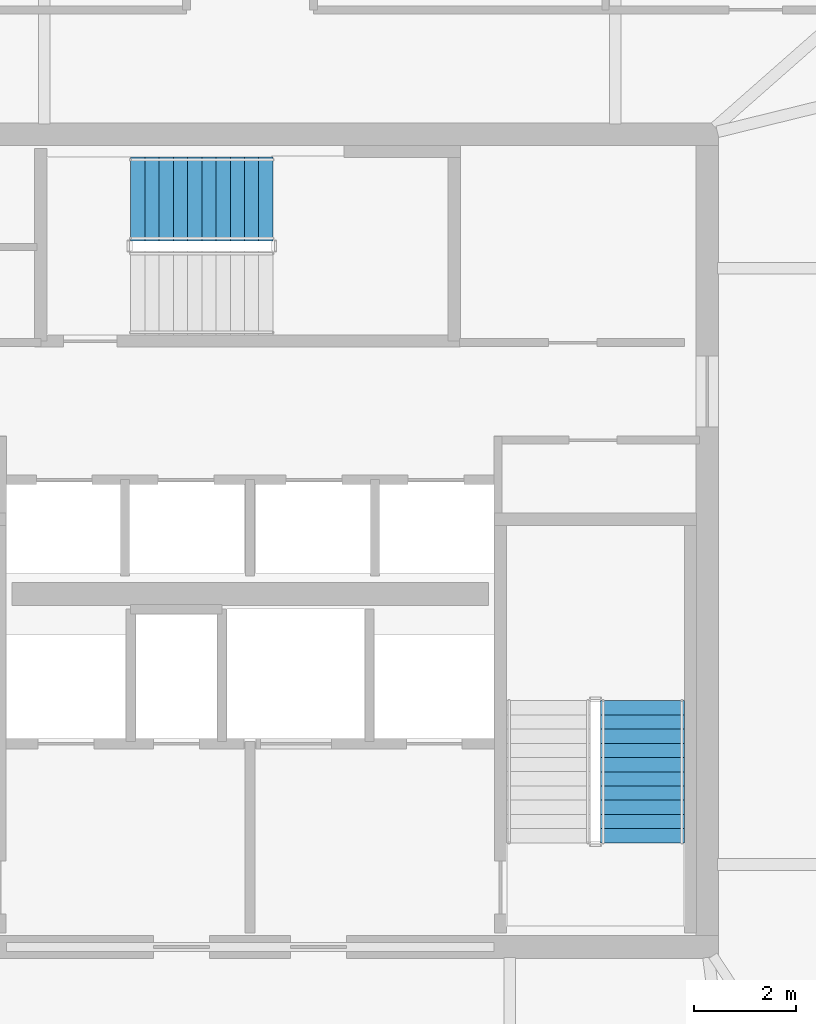
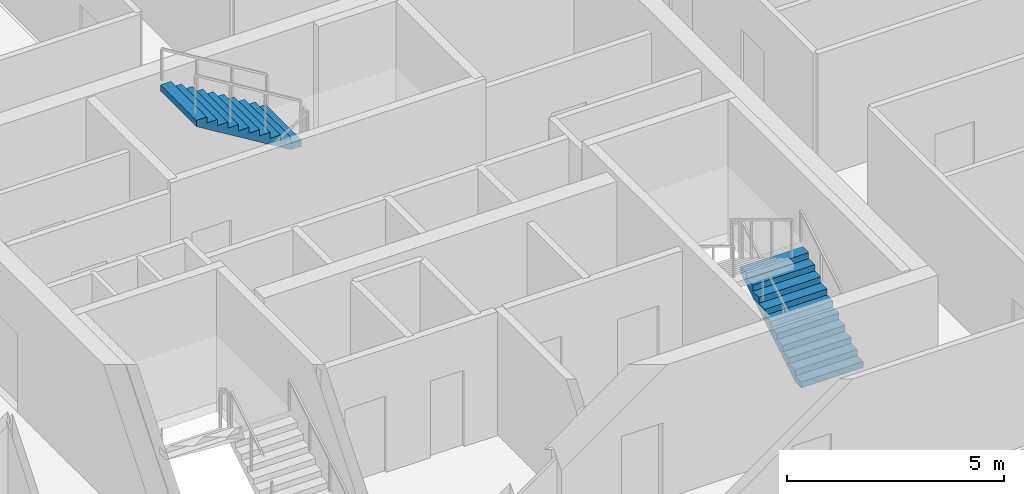
# One storey, part 23 of 28: 2 stair flights, 2 elements without a shape of their own.
"""IFC4 building model written with IfcOpenShell, lengths in metres."""

from ifc_helpers import new_model, si_unit, direction, frame, origin, place, context, subcontext, project, spatial, polyline, outline, extrude, material, type_object, element, aggregate, save


model = new_model("IFC4")

# Units and contexts
model_context = context("Model", 3, precision=1e-05, world=origin(), true_north=direction((0.0, 1.0)))
body_context = subcontext(model_context, "Body", "Model", "MODEL_VIEW")
ifc_project = project(units=[si_unit("LENGTHUNIT", "METRE"), si_unit("AREAUNIT", "SQUARE_METRE"), si_unit("VOLUMEUNIT", "CUBIC_METRE"), si_unit("PLANEANGLEUNIT", "RADIAN"), si_unit("MASSUNIT", "GRAM", prefix="KILO")], contexts=[model_context])

# Site, building, storey
site_placement = place(None, origin())
site = spatial("IfcSite", under=ifc_project, at=site_placement, CompositionType="ELEMENT")
building_placement = place(site_placement, origin())
building = spatial("IfcBuilding", under=site, at=building_placement, Name="Haldenkirk Collegiate Tower", CompositionType="ELEMENT")
storey_placement = place(building_placement, frame((0.0, 0.0, 282.449951171875)))
storey = spatial("IfcBuildingStorey", under=building, at=storey_placement, Name="L71", CompositionType="ELEMENT", Elevation=282.449951171875)

# Stair, stair flight
ifc_material = material(Name="Concrete f'c 40 MPa", Category="concrete")
stair_type = type_object("IfcStairType", Name="STR-DOGLEG-1650", PredefinedType="HALF_TURN_STAIR", material=ifc_material)
stair_1_placement = place(storey_placement, origin())
stair_1 = element("IfcStair", 1, at=stair_1_placement, inside=storey, type_object=stair_type, Name="L71 Core Exit Stair ST-2", PredefinedType="HALF_TURN_STAIR")
stair_flight_type = type_object("IfcStairFlightType", Name="STF-FLIGHT-1650", PredefinedType="STRAIGHT", material=ifc_material)
stair_flight_1_placement = place(storey_placement, frame((43.72509765625, 20.050048828125, 0.0), z_axis=(0.0, 0.0, 1.0), x_axis=(0.0, 1.0, 0.0)))
stair_flight_1 = element("IfcStairFlight", 2, at=stair_flight_1_placement, type_object=stair_flight_type, Name="ST-2 flight 1", NumberOfRisers=11, NumberOfTreads=10, PredefinedType="STRAIGHT", RiserHeight=0.170454545, TreadLength=0.28, context=body_context, shape_type="SweptSolid", body=[
    extrude(outline(polyline([(0.0, 0.0), (0.0, 0.17041015625), (0.280029296875, 0.17041015625), (0.280029296875, 0.3408203125), (0.56005859375, 0.3408203125), (0.56005859375, 0.511474609375), (0.840087890625, 0.511474609375), (0.840087890625, 0.681884765625), (1.1201171875, 0.681884765625), (1.1201171875, 0.852294921875), (1.39990234375, 0.852294921875), (1.39990234375, 1.022705078125), (1.679931640625, 1.022705078125), (1.679931640625, 1.193115234375), (1.9599609375, 1.193115234375), (1.9599609375, 1.363525390625), (2.239990234375, 1.363525390625), (2.239990234375, 1.5341796875), (2.52001953125, 1.5341796875), (2.52001953125, 1.70458984375), (2.800048828125, 1.70458984375), (2.800048828125, 1.875), (2.800048828125, 1.529052734375), (0.288330078125, 0.0), (0.0, 0.0)])), frame((0.0, 0.824951171875, 0.0), z_axis=(0.0, -1.0, 0.0), x_axis=(1.0, 0.0, 0.0)), (0.0, 0.0, 1.0), 1.64990234375),
])
aggregate(stair_1, [stair_flight_1])

stair_2_placement = place(storey_placement, origin())
stair_2 = element("IfcStair", 3, at=stair_2_placement, inside=storey, type_object=stair_type, Name="L71 Core Exit Stair ST-3", PredefinedType="HALF_TURN_STAIR")
stair_flight_2_placement = place(storey_placement, frame((36.449951171875, 32.72509765625, 1.875), z_axis=(0.0, 0.0, 1.0), x_axis=(-1.0, 0.0, 0.0)))
stair_flight_2 = element("IfcStairFlight", 4, at=stair_flight_2_placement, type_object=stair_flight_type, Name="ST-3 flight 2", NumberOfRisers=11, NumberOfTreads=10, PredefinedType="STRAIGHT", RiserHeight=0.170454545, TreadLength=0.28, context=body_context, shape_type="SweptSolid", body=[
    extrude(outline(polyline([(0.0, 0.0), (0.0, 0.17041015625), (0.280029296875, 0.17041015625), (0.280029296875, 0.3408203125), (0.56005859375, 0.3408203125), (0.56005859375, 0.511474609375), (0.840087890625, 0.511474609375), (0.840087890625, 0.681884765625), (1.1201171875, 0.681884765625), (1.1201171875, 0.852294921875), (1.39990234375, 0.852294921875), (1.39990234375, 1.022705078125), (1.679931640625, 1.022705078125), (1.679931640625, 1.193115234375), (1.9599609375, 1.193115234375), (1.9599609375, 1.363525390625), (2.239990234375, 1.363525390625), (2.239990234375, 1.5341796875), (2.52001953125, 1.5341796875), (2.52001953125, 1.70458984375), (2.800048828125, 1.70458984375), (2.800048828125, 1.875), (2.800048828125, 1.529052734375), (0.288330078125, 0.0), (0.0, 0.0)])), frame((0.0, 0.824951171875, 0.0), z_axis=(0.0, -1.0, 0.0), x_axis=(1.0, 0.0, 0.0)), (0.0, 0.0, 1.0), 1.64990234375),
])
aggregate(stair_2, [stair_flight_2])

save(model, "model.ifc")
